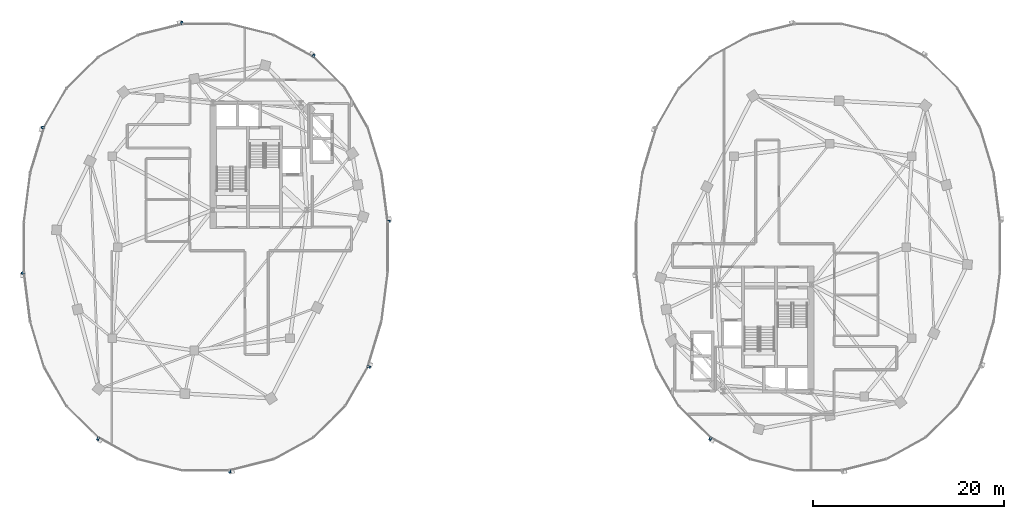
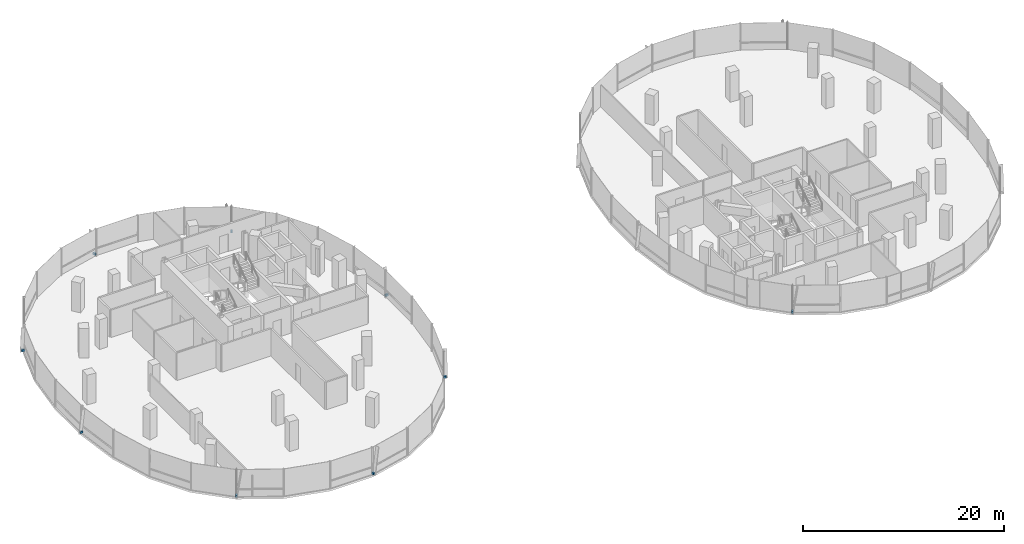
# One storey, part 15 of 21: 9 discrete accessories.
"""IFC4 building model written with IfcOpenShell, lengths in metres."""

import ifcopenshell
import ifcopenshell.guid

model = None  # the IFC model being written
_history = None  # IfcOwnerHistory: only IFC2X3 demands one
_inside = {}  # id of a spatial element -> (the spatial element, [elements in it])
_under = {}  # id of a project, library or spatial element -> (it, [spatial elements below it])
_declared = {}  # id of a project -> (the project, [libraries it declares])
_typed = {}  # id of a type object -> (the type object, [elements of that type])
_made_of = {}  # id of a material, layer set ... -> (it, [elements and type objects made of it])


def new_model(schema):
    """Start an empty IFC model of exactly this schema.

    Asked for "IFC4X3", IfcOpenShell would pick the latest addendum, in which some entities
    have other attributes; the version numbers below select the first issue.
    IFC2X3 requires an IfcOwnerHistory on every rooted entity: one is made here for all.
    """
    global model, _history
    if schema == "IFC4X3":
        model = ifcopenshell.file(schema_version=(4, 3, 0, 0))
    else:
        model = ifcopenshell.file(schema=schema)
    _inside.clear()
    _under.clear()
    _declared.clear()
    _typed.clear()
    _made_of.clear()
    _history = None
    if model.schema == "IFC2X3":
        org = make("IfcOrganization", Name="unknown")
        user = make(
            "IfcPersonAndOrganization",
            ThePerson=make("IfcPerson", FamilyName="unknown"),
            TheOrganization=org,
        )
        app = make(
            "IfcApplication",
            ApplicationDeveloper=org,
            Version="unknown",
            ApplicationFullName="unknown",
            ApplicationIdentifier="unknown",
        )
        _history = make(
            "IfcOwnerHistory",
            OwningUser=user,
            OwningApplication=app,
            ChangeAction="ADDED",
            CreationDate=0,
        )
    return model


def make(cls, **values):
    """One entity of the class cls with the attributes given. An attribute that is None is left unset."""
    return model.create_entity(
        cls, **{name: value for name, value in values.items() if value is not None}
    )


def rooted(cls, **values):
    """An entity with a GlobalId (a new one), such as an element, a storey or a relation."""
    return make(cls, GlobalId=ifcopenshell.guid.new(), OwnerHistory=_history, **values)


def si_unit(unit_type, name, prefix=None):
    """IfcSIUnit, for example si_unit("LENGTHUNIT", "METRE", prefix="MILLI")."""
    return make("IfcSIUnit", UnitType=unit_type, Prefix=prefix, Name=name)


def assignment(units):
    """IfcUnitAssignment: the units of a project."""
    return None if units is None else make("IfcUnitAssignment", Units=units)


def point(xyz):
    """IfcCartesianPoint."""
    return None if xyz is None else make("IfcCartesianPoint", Coordinates=xyz)


def direction(xyz):
    """IfcDirection."""
    return None if xyz is None else make("IfcDirection", DirectionRatios=xyz)


def frame(location, z_axis=None, x_axis=None):
    """IfcAxis2Placement3D, a coordinate frame: its origin and axes. An axis left out is left unset."""
    return make(
        "IfcAxis2Placement3D",
        Location=point(location),
        Axis=direction(z_axis),
        RefDirection=direction(x_axis),
    )


def frame_2d(location, x_axis=None):
    """IfcAxis2Placement2D, a coordinate frame in the plane: its origin and x axis."""
    return make(
        "IfcAxis2Placement2D", Location=point(location), RefDirection=direction(x_axis)
    )


def origin():
    """The frame at (0, 0, 0) with its axes left unset."""
    return frame((0.0, 0.0, 0.0))


def origin_2d():
    """The frame at (0, 0) in the plane with its x axis left unset."""
    return frame_2d((0.0, 0.0))


def place(relative_to, where):
    """IfcLocalPlacement: puts the frame where relative to a parent placement (None: the world)."""
    return make(
        "IfcLocalPlacement", PlacementRelTo=relative_to, RelativePlacement=where
    )


def context(
    kind, dimensions, precision=None, world=None, true_north=None, identifier=None
):
    """IfcGeometricRepresentationContext, for example the 3D "Model" context."""
    return make(
        "IfcGeometricRepresentationContext",
        ContextIdentifier=identifier,
        ContextType=kind,
        CoordinateSpaceDimension=dimensions,
        Precision=precision,
        WorldCoordinateSystem=world,
        TrueNorth=true_north,
    )


def subcontext(parent, identifier, kind, view, scale=None):
    """IfcGeometricRepresentationSubContext, for example "Body" below "Model"."""
    return make(
        "IfcGeometricRepresentationSubContext",
        ContextIdentifier=identifier,
        ContextType=kind,
        ParentContext=parent,
        TargetScale=scale,
        TargetView=view,
    )


def project(units=None, contexts=None):
    """IfcProject with its units and contexts."""
    return rooted(
        "IfcProject",
        Name="project",
        RepresentationContexts=contexts,
        UnitsInContext=assignment(units),
    )


def spatial(cls, under=None, at=None, **own):
    """A site, building, storey or space (cls), placed at a placement, below another one or the project."""
    s = rooted(cls, ObjectPlacement=at, **own)
    if under is not None:
        _under.setdefault(under.id(), (under, []))[1].append(s)
    return s


def profile(cls, at=None, kind="AREA", **sizes):
    """A parametric profile (cls). Its sizes go by their IFC names, for example OverallWidth=200.0."""
    return make(cls, ProfileType=kind, Position=at, **sizes)


def rectangle(**sizes):
    """IfcRectangleProfileDef."""
    return profile("IfcRectangleProfileDef", **sizes)


def extrude(swept, where, along, depth):
    """IfcExtrudedAreaSolid: the profile swept, set in the frame where, extruded along a direction by depth."""
    return make(
        "IfcExtrudedAreaSolid",
        SweptArea=swept,
        Position=where,
        ExtrudedDirection=direction(along),
        Depth=depth,
    )


def shape(context_of_items, identifier, shape_type, items):
    """IfcShapeRepresentation: the items that make up one representation, for example the "Body"."""
    return make(
        "IfcShapeRepresentation",
        ContextOfItems=context_of_items,
        RepresentationIdentifier=identifier,
        RepresentationType=shape_type,
        Items=items,
    )


def material(Name=None, Category=None):
    """IfcMaterial."""
    return make("IfcMaterial", Name=Name, Category=Category)


def made_of(thing, what):
    """Note that an element or type object is made of a material, layer set ...; save() writes the relation."""
    if what is not None:
        _made_of.setdefault(what.id(), (what, []))[1].append(thing)
    return thing


def type_object(cls, material=None, **own):
    """A type object (cls), such as IfcWallType, which elements share."""
    return made_of(rooted(cls, **own), material)


def element(
    cls,
    number,
    at=None,
    inside=None,
    cuts=None,
    type_object=None,
    material=None,
    context=None,
    identifier="Body",
    shape_type=None,
    held_by="IfcProductDefinitionShape",
    body=None,
    shapes=None,
    **own,
):
    """One element of the class cls, such as IfcWall. Its Tag is "e" and its number.

    at: its placement. inside: the storey or other place that contains it. cuts: it is an
    opening in that element (IfcRelVoidsElement). A single representation is given by context,
    identifier, shape_type and body (its items); several are given by shapes. held_by: the class
    of the entity that holds the representations. save() writes the other relations.
    """
    e = rooted(cls, Tag="e%d" % number, ObjectPlacement=at, **own)
    if body is not None:
        shapes = [shape(context, identifier, shape_type, body)]
    if shapes is not None:
        e.Representation = make(held_by, Representations=shapes)
    if inside is not None:
        _inside.setdefault(inside.id(), (inside, []))[1].append(e)
    if cuts is not None:
        rooted(
            "IfcRelVoidsElement", RelatingBuildingElement=cuts, RelatedOpeningElement=e
        )
    if type_object is not None:
        _typed.setdefault(type_object.id(), (type_object, []))[1].append(e)
    return made_of(e, material)


def aggregate(whole, parts):
    """IfcRelAggregates: a whole, such as a stair, and the parts it consists of."""
    return rooted("IfcRelAggregates", RelatingObject=whole, RelatedObjects=parts)


def save(model, path):
    """Write the relations noted so far, then the file.

    IfcRelAggregates (storeys below a building ...), IfcRelContainedInSpatialStructure (elements
    in a storey), IfcRelDefinesByType, IfcRelAssociatesMaterial and IfcRelDeclares: one each for
    every whole, place, type object, material and project.
    """
    for whole, parts in _under.values():
        aggregate(whole, parts)
    for where, things in _inside.values():
        rooted(
            "IfcRelContainedInSpatialStructure",
            RelatedElements=things,
            RelatingStructure=where,
        )
    for kind, things in _typed.values():
        rooted("IfcRelDefinesByType", RelatedObjects=things, RelatingType=kind)
    for what, things in _made_of.values():
        rooted("IfcRelAssociatesMaterial", RelatedObjects=things, RelatingMaterial=what)
    for by, libraries in _declared.values():
        rooted("IfcRelDeclares", RelatingContext=by, RelatedDefinitions=libraries)
    model.write(path)


model = new_model("IFC4")

# Units and contexts
model_context = context("Model", 3, precision=1e-05, world=origin(), true_north=direction((0.0, 1.0)))
body_context = subcontext(model_context, "Body", "Model", "MODEL_VIEW")
ifc_project = project(units=[si_unit("LENGTHUNIT", "METRE"), si_unit("AREAUNIT", "SQUARE_METRE"), si_unit("VOLUMEUNIT", "CUBIC_METRE"), si_unit("PLANEANGLEUNIT", "RADIAN"), si_unit("MASSUNIT", "GRAM", prefix="KILO"), si_unit("THERMODYNAMICTEMPERATUREUNIT", "KELVIN"), si_unit("POWERUNIT", "WATT")], contexts=[model_context])

# Site, building, storey
site_placement = place(None, origin())
site = spatial("IfcSite", under=ifc_project, at=site_placement, CompositionType="ELEMENT")
building_placement = place(site_placement, origin())
building = spatial("IfcBuilding", under=site, at=building_placement, Name="Cundina Bronze Exchange", CompositionType="ELEMENT")
storey_placement = place(building_placement, frame((0.0, 0.0, 183.60009765625)))
storey = spatial("IfcBuildingStorey", under=building, at=storey_placement, Name="L48", CompositionType="ELEMENT", Elevation=183.60009765625)

# Discrete accessories
ifc_material = material(Name="Anodised Bronze Aluminium 6063-T6", Category="aluminium")
discrete_accessory_type = type_object("IfcDiscreteAccessoryType", Name="ACC-BRK-FIN", PredefinedType="BRACKET", material=ifc_material)
for number, where, z_axis, x_axis, name in (
    (1, (-12.874267578125, 2.69189453125, 0.10009765625), (0.0, 0.0, 1.0), (-0.126475984253, 0.9919696696, 0.0), "L48 Fin Support Bracket 1"),
    (2, (-20.733154296875, 20.015380859375, 0.10009765625), (0.0, 0.0, 1.0), (-0.875869093438, 0.482548786301, 0.0), "L48 Fin Support Bracket 5"),
    (3, (-34.492919921875, 23.44970703125, 0.10009765625), (0.0, 0.0, 1.0), (-0.970092713791, -0.242734683656, 0.0), "L48 Fin Support Bracket 1"),
    (4, (-49.0458984375, 12.511962890625, 0.10009765625), (0.0, 0.0, 1.0), (-0.290050843957, -0.957011237092, 0.0), "L48 Fin Support Bracket 5"),
    (5, (-51.125732421875, -2.69189453125, 0.10009765625), (0.0, 0.0, 1.0), (0.126475984253, -0.9919696696, 0.0), "L48 Fin Support Bracket 1"),
    (6, (-43.266845703125, -20.015380859375, 0.10009765625), (0.0, 0.0, 1.0), (0.875869093438, -0.482548786301, 0.0), "L48 Fin Support Bracket 5"),
    (7, (-29.507080078125, -23.44970703125, 0.10009765625), (0.0, 0.0, 1.0), (0.970092713791, 0.242734683656, 0.0), "L48 Fin Support Bracket 1"),
    (8, (-14.9541015625, -12.511962890625, 0.10009765625), (0.0, 0.0, 1.0), (0.290050843957, 0.957011237092, 0.0), "L48 Fin Support Bracket 5"),
    (9, (20.733154296875, -20.015380859375, 0.10009765625), (0.0, 0.0, 1.0), (0.875869093438, -0.482548786301, 0.0), "L48 Fin Support Bracket 5"),
):
    element("IfcDiscreteAccessory", number, at=place(storey_placement, frame(where, z_axis=z_axis, x_axis=x_axis)), inside=storey, type_object=discrete_accessory_type, Name=name, PredefinedType="BRACKET", context=body_context, shape_type="SweptSolid", body=[
        extrude(rectangle(XDim=0.219970703125, YDim=0.320068359375, at=origin_2d()), origin(), (0.0, 0.0, 1.0), 0.239990234375),
    ])

save(model, "model.ifc")
